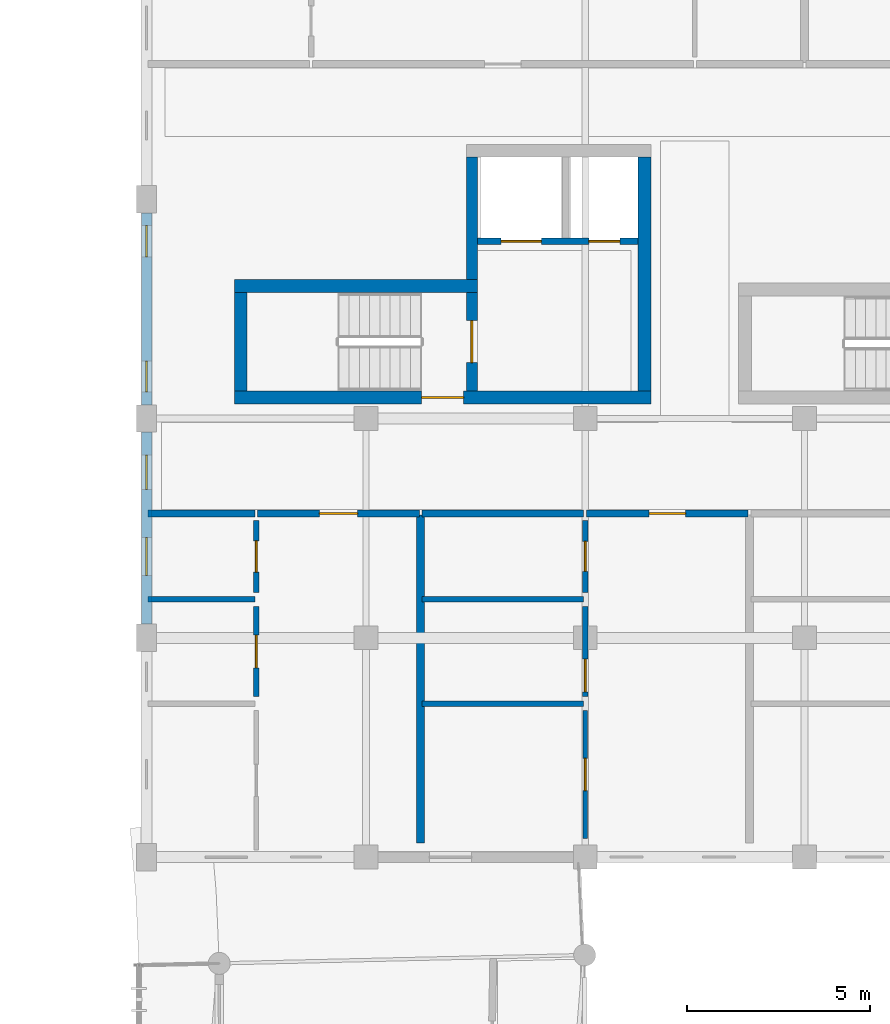
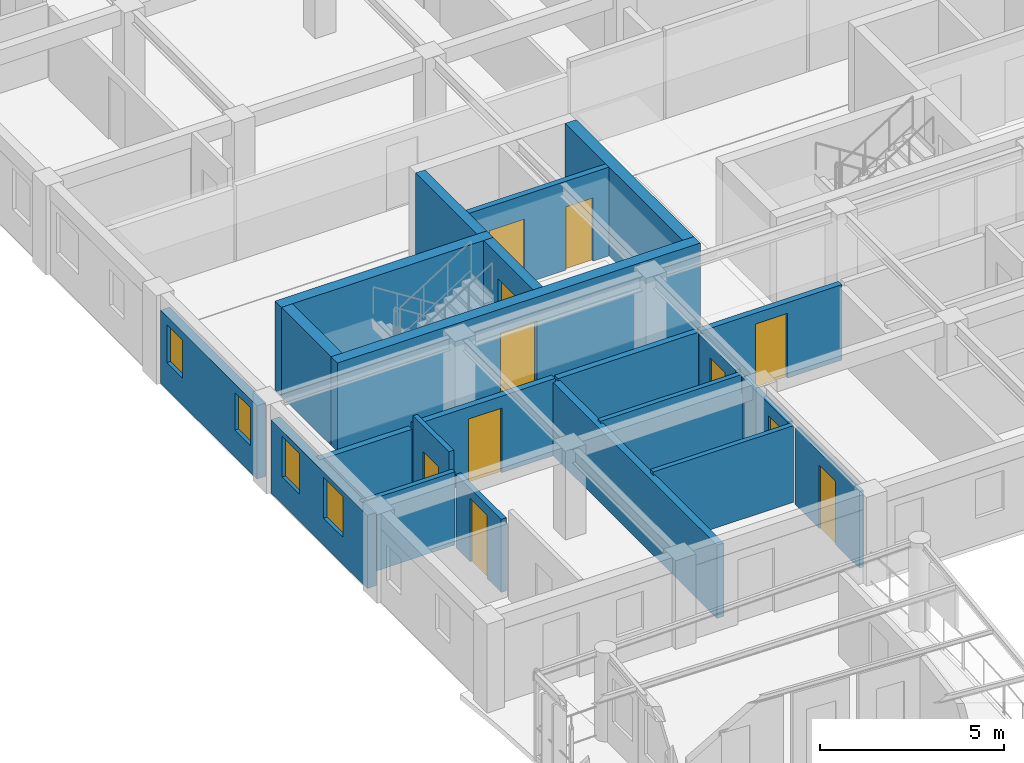
# One storey, part 68 of 100: 22 walls, 11 doors, 4 windows, 15 openings.
"""IFC4 building model written with IfcOpenShell, lengths in metres."""

from ifc_helpers import new_model, si_unit, direction, frame, frame_2d, origin, place, context, subcontext, project, spatial, rectangle, extrude, material, layer, layer_set, type_object, element, fill, save


model = new_model("IFC4")

# Units and contexts
model_context = context("Model", 3, precision=1e-05, world=origin(), true_north=direction((0.0, 1.0)))
body_context = subcontext(model_context, "Body", "Model", "MODEL_VIEW")
ifc_project = project(units=[si_unit("LENGTHUNIT", "METRE"), si_unit("AREAUNIT", "SQUARE_METRE"), si_unit("VOLUMEUNIT", "CUBIC_METRE"), si_unit("PLANEANGLEUNIT", "RADIAN"), si_unit("MASSUNIT", "GRAM", prefix="KILO"), si_unit("POWERUNIT", "WATT"), si_unit("THERMODYNAMICTEMPERATUREUNIT", "KELVIN")], contexts=[model_context])

# Site, building, storey
site_placement = place(None, origin())
site = spatial("IfcSite", under=ifc_project, at=site_placement, CompositionType="ELEMENT")
building_placement = place(site_placement, origin())
building = spatial("IfcBuilding", under=site, at=building_placement, Name="Ruvembo Vaulted Housing Court", CompositionType="ELEMENT")
storey_placement = place(building_placement, frame((0.0, 0.0, 14.10009765625)))
storey = spatial("IfcBuildingStorey", under=building, at=storey_placement, Name="L04", CompositionType="ELEMENT", Elevation=14.10009765625)

# Wall, opening, door
ifc_material_1 = material(Name="Concrete C35/45", Category="concrete")
ifc_layer_1 = layer(ifc_material_1, 0.300048828125, Name="Concrete C35/45")
ifc_layer_set_1 = layer_set([ifc_layer_1], Name="Concrete C35/45")
wall_type_1 = type_object("IfcWallType", Name="WL-CORE-300", PredefinedType="SHEAR", material=ifc_layer_set_1)
wall_1_placement = place(storey_placement, frame((56.89990234375, 90.75, 0.0), z_axis=(0.0, 0.0, 1.0), x_axis=(0.0, 1.0, 0.0)))
wall_1 = element("IfcWall", 1, at=wall_1_placement, inside=storey, type_object=wall_type_1, Name="Core B1 L04 Stair-Lobby Shear Wall", PredefinedType="SHEAR", context=body_context, shape_type="SweptSolid", body=[
    extrude(rectangle(XDim=2.699951171875, YDim=0.300048828125, at=frame_2d((1.35009765625, 0.0))), origin(), (0.0, 0.0, 1.0), 2.949951171875),
])
opening_1_placement = place(wall_1_placement, frame((0.77490234375, 0.0, 0.0)))
opening_1 = element("IfcOpeningElement", 2, at=opening_1_placement, cuts=wall_1, Name="Opening SD1", PredefinedType="OPENING", context=body_context, shape_type="SweptSolid", body=[
    extrude(rectangle(XDim=1.14990234375, YDim=2.14990234375, at=frame_2d((0.574951171875, 1.074951171875))), frame((0.0, 0.159912109375, 0.0), z_axis=(0.0, -1.0, 0.0), x_axis=(1.0, 0.0, 0.0)), (0.0, 0.0, 1.0), 0.320068359375),
])
ifc_material_2 = material(Name="Galvanised Painted Steel", Category="steel")
door_type_1 = type_object("IfcDoorType", Name="DR-STAIR-1150x2150", OperationType="NOTDEFINED", PredefinedType="DOOR", material=ifc_material_2)
door_1_placement = place(opening_1_placement, origin())
door_1 = element("IfcDoor", 3, at=door_1_placement, inside=storey, type_object=door_type_1, Name="Stair ST-B1 L04 Fire Door", OperationType="SINGLE_SWING_LEFT", OverallHeight=2.14990234375, OverallWidth=1.14990234375, PredefinedType="DOOR", context=body_context, shape_type="SweptSolid", body=[
    extrude(rectangle(XDim=1.14990234375, YDim=2.14990234375, at=frame_2d((0.574951171875, 1.074951171875))), frame((0.0, 0.02490234375, 0.0), z_axis=(0.0, -1.0, 0.0), x_axis=(1.0, 0.0, 0.0)), (0.0, 0.0, 1.0), 0.050048828125),
])
fill(opening_1, door_1)

# Wall
wall_2_placement = place(storey_placement, frame((56.89990234375, 93.800048828125, 0.0), z_axis=(0.0, 0.0, 1.0), x_axis=(0.0, 1.0, 0.0)))
element("IfcWall", 4, at=wall_2_placement, inside=storey, type_object=wall_type_1, Name="Core B1 L04 Upper West Shear Wall", PredefinedType="SHEAR", context=body_context, shape_type="SweptSolid", body=[
    extrude(rectangle(XDim=3.349853515625, YDim=0.300048828125, at=frame_2d((1.6748046875, 0.0))), origin(), (0.0, 0.0, 1.0), 2.949951171875),
])

# Wall, opening, door
ifc_layer_2 = layer(ifc_material_1, 0.35009765625, Name="Concrete C35/45")
ifc_layer_set_2 = layer_set([ifc_layer_2], Name="Concrete C35/45")
wall_type_2 = type_object("IfcWallType", Name="WL-CORE-350", PredefinedType="SHEAR", material=ifc_layer_set_2)
wall_3_placement = place(storey_placement, frame((50.39990234375, 90.574951171875, 0.0), z_axis=(0.0, 0.0, 1.0), x_axis=(1.0, 0.0, 0.0)))
wall_3 = element("IfcWall", 5, at=wall_3_placement, inside=storey, type_object=wall_type_2, Name="Core B1 L04 South Shear Wall", PredefinedType="SHEAR", context=body_context, shape_type="SweptSolid", body=[
    extrude(rectangle(XDim=11.400146484375, YDim=0.35009765625, at=frame_2d((5.7001953125, 0.0))), origin(), (0.0, 0.0, 1.0), 2.949951171875),
])
opening_2_placement = place(wall_3_placement, frame((5.125, 0.0, 0.0)))
opening_2 = element("IfcOpeningElement", 6, at=opening_2_placement, cuts=wall_3, Name="Opening LD0", PredefinedType="OPENING", context=body_context, shape_type="SweptSolid", body=[
    extrude(rectangle(XDim=1.14990234375, YDim=2.14990234375, at=frame_2d((0.574951171875, 1.074951171875))), frame((0.0, 0.18505859375, 0.0), z_axis=(0.0, -1.0, 0.0), x_axis=(1.0, 0.0, 0.0)), (0.0, 0.0, 1.0), 0.3701171875),
])
door_type_2 = type_object("IfcDoorType", Name="DR-LOB-1150x2150", OperationType="NOTDEFINED", PredefinedType="DOOR", material=ifc_material_2)
door_2_placement = place(opening_2_placement, origin())
door_2 = element("IfcDoor", 7, at=door_2_placement, inside=storey, type_object=door_type_2, Name="Core B1 L04 Lobby Fire Door", OperationType="SINGLE_SWING_RIGHT", OverallHeight=2.14990234375, OverallWidth=1.14990234375, PredefinedType="DOOR", context=body_context, shape_type="SweptSolid", body=[
    extrude(rectangle(XDim=1.14990234375, YDim=2.14990234375, at=frame_2d((0.574951171875, 1.074951171875))), frame((0.0, 0.02490234375, 0.0), z_axis=(0.0, -1.0, 0.0), x_axis=(1.0, 0.0, 0.0)), (0.0, 0.0, 1.0), 0.050048828125),
])
fill(opening_2, door_2)

# Walls
wall_4_placement = place(storey_placement, frame((57.050048828125, 93.625, 0.0), z_axis=(0.0, 0.0, 1.0), x_axis=(-1.0, 0.0, 0.0)))
element("IfcWall", 8, at=wall_4_placement, inside=storey, type_object=wall_type_2, Name="Core B1 L04 Stair North Shear Wall", PredefinedType="SHEAR", context=body_context, shape_type="SweptSolid", body=[
    extrude(rectangle(XDim=6.650146484375, YDim=0.35009765625, at=frame_2d((3.3251953125, 0.0))), origin(), (0.0, 0.0, 1.0), 2.949951171875),
])
wall_5_placement = place(storey_placement, frame((50.574951171875, 93.449951171875, 0.0), z_axis=(0.0, 0.0, 1.0), x_axis=(0.0, -1.0, 0.0)))
element("IfcWall", 9, at=wall_5_placement, inside=storey, type_object=wall_type_2, Name="Core B1 L04 Stair West Shear Wall", PredefinedType="SHEAR", context=body_context, shape_type="SweptSolid", body=[
    extrude(rectangle(XDim=2.699951171875, YDim=0.35009765625, at=frame_2d((1.35009765625, 0.0))), origin(), (0.0, 0.0, 1.0), 2.949951171875),
])
wall_6_placement = place(storey_placement, frame((61.625, 90.75, 0.0), z_axis=(0.0, 0.0, 1.0), x_axis=(0.0, 1.0, 0.0)))
element("IfcWall", 10, at=wall_6_placement, inside=storey, type_object=wall_type_2, Name="Core B1 L04 East Shear Wall", PredefinedType="SHEAR", context=body_context, shape_type="SweptSolid", body=[
    extrude(rectangle(XDim=6.39990234375, YDim=0.35009765625, at=frame_2d((3.199951171875, 0.0))), origin(), (0.0, 0.0, 1.0), 2.949951171875),
])
ifc_material_3 = material(Name="Concrete Blockwork 190", Category="masonry")
ifc_layer_3 = layer(ifc_material_3, 0.18994140625, Name="Concrete Blockwork 190")
ifc_layer_set_3 = layer_set([ifc_layer_3], Name="Concrete Blockwork 190")
wall_type_3 = type_object("IfcWallType", Name="WL-CORR-190", PredefinedType="SOLIDWALL", material=ifc_layer_set_3)
wall_7_placement = place(storey_placement, frame((48.0400390625, 87.39990234375, 0.0), z_axis=(0.0, 0.0, 1.0), x_axis=(1.0, 0.0, 0.0)))
element("IfcWall", 11, at=wall_7_placement, inside=storey, type_object=wall_type_3, Name="L04 Flat B-L04-S1 Corridor Wall WL-INT-L04-01138", PredefinedType="SOLIDWALL", context=body_context, shape_type="SweptSolid", body=[
    extrude(rectangle(XDim=2.919921875, YDim=0.18994140625, at=frame_2d((1.4599609375, 0.0))), origin(), (0.0, 0.0, 1.0), 2.431884765625),
])

# Wall, opening, door
wall_8_placement = place(storey_placement, frame((51.0400390625, 87.39990234375, 0.0), z_axis=(0.0, 0.0, 1.0), x_axis=(1.0, 0.0, 0.0)))
wall_8 = element("IfcWall", 12, at=wall_8_placement, inside=storey, type_object=wall_type_3, Name="L04 Flat B-L04-S1 Entrance WL-INT-L04-01139", PredefinedType="SOLIDWALL", context=body_context, shape_type="SweptSolid", body=[
    extrude(rectangle(XDim=4.419921875, YDim=0.18994140625, at=frame_2d((2.2099609375, 0.0))), origin(), (0.0, 0.0, 1.0), 2.5478515625),
])
opening_3_placement = place(wall_8_placement, frame((1.68505859375, 0.0, 0.0)))
opening_3 = element("IfcOpeningElement", 13, at=opening_3_placement, cuts=wall_8, Name="Opening FD3", PredefinedType="OPENING", context=body_context, shape_type="SweptSolid", body=[
    extrude(rectangle(XDim=1.050048828125, YDim=2.14990234375, at=frame_2d((0.52490234375, 1.074951171875))), frame((0.0, 0.10498046875, 0.0), z_axis=(0.0, -1.0, 0.0), x_axis=(1.0, 0.0, 0.0)), (0.0, 0.0, 1.0), 0.2099609375),
])
ifc_material_4 = material(Name="FSC Hardwood and Engineered Timber", Category="wood")
door_type_3 = type_object("IfcDoorType", Name="DR-FLAT-1050x2150", OperationType="NOTDEFINED", PredefinedType="DOOR", material=ifc_material_4)
door_3_placement = place(opening_3_placement, origin())
door_3 = element("IfcDoor", 14, at=door_3_placement, inside=storey, type_object=door_type_3, Name="L04 Flat B-L04-S1 Entrance Door DR-INT-L04-00638", OperationType="SINGLE_SWING_RIGHT", OverallHeight=2.14990234375, OverallWidth=1.050048828125, PredefinedType="DOOR", context=body_context, shape_type="SweptSolid", body=[
    extrude(rectangle(XDim=1.050048828125, YDim=2.14990234375, at=frame_2d((0.52490234375, 1.074951171875))), frame((0.0, 0.02490234375, 0.0), z_axis=(0.0, -1.0, 0.0), x_axis=(1.0, 0.0, 0.0)), (0.0, 0.0, 1.0), 0.050048828125),
])
fill(opening_3, door_3)

# Wall
wall_9_placement = place(storey_placement, frame((55.5400390625, 87.39990234375, 0.0), z_axis=(0.0, 0.0, 1.0), x_axis=(1.0, 0.0, 0.0)))
element("IfcWall", 15, at=wall_9_placement, inside=storey, type_object=wall_type_3, Name="L04 Flat B-L04-S2 Corridor Wall WL-INT-L04-01146", PredefinedType="SOLIDWALL", context=body_context, shape_type="SweptSolid", body=[
    extrude(rectangle(XDim=4.419921875, YDim=0.18994140625, at=frame_2d((2.2099609375, 0.0))), origin(), (0.0, 0.0, 1.0), 2.5078125),
])

# Wall, opening, door
wall_10_placement = place(storey_placement, frame((60.0400390625, 87.39990234375, 0.0), z_axis=(0.0, 0.0, 1.0), x_axis=(1.0, 0.0, 0.0)))
wall_10 = element("IfcWall", 16, at=wall_10_placement, inside=storey, type_object=wall_type_3, Name="L04 Flat B-L04-S2 Entrance WL-INT-L04-01147", PredefinedType="SOLIDWALL", context=body_context, shape_type="SweptSolid", body=[
    extrude(rectangle(XDim=4.419921875, YDim=0.18994140625, at=frame_2d((2.2099609375, 0.0))), origin(), (0.0, 0.0, 1.0), 2.5078125),
])
opening_4_placement = place(wall_10_placement, frame((1.7099609375, 0.0, 0.0)))
opening_4 = element("IfcOpeningElement", 17, at=opening_4_placement, cuts=wall_10, Name="Opening FD1", PredefinedType="OPENING", context=body_context, shape_type="SweptSolid", body=[
    extrude(rectangle(XDim=1.0, YDim=2.14990234375, at=frame_2d((0.5, 1.074951171875))), frame((0.0, 0.10498046875, 0.0), z_axis=(0.0, -1.0, 0.0), x_axis=(1.0, 0.0, 0.0)), (0.0, 0.0, 1.0), 0.2099609375),
])
door_type_4 = type_object("IfcDoorType", Name="DR-FLAT-1000x2150", OperationType="NOTDEFINED", PredefinedType="DOOR", material=ifc_material_4)
door_4_placement = place(opening_4_placement, origin())
door_4 = element("IfcDoor", 18, at=door_4_placement, inside=storey, type_object=door_type_4, Name="L04 Flat B-L04-S2 Entrance Door DR-INT-L04-00642", OperationType="SINGLE_SWING_RIGHT", OverallHeight=2.14990234375, OverallWidth=1.0, PredefinedType="DOOR", context=body_context, shape_type="SweptSolid", body=[
    extrude(rectangle(XDim=1.0, YDim=2.14990234375, at=frame_2d((0.5, 1.074951171875))), frame((0.0, 0.02490234375, 0.0), z_axis=(0.0, -1.0, 0.0), x_axis=(1.0, 0.0, 0.0)), (0.0, 0.0, 1.0), 0.050048828125),
])
fill(opening_4, door_4)

# Wall
ifc_material_5 = material(Name="Acoustic Masonry Demising 220", Category="masonry")
ifc_layer_4 = layer(ifc_material_5, 0.219970703125, Name="Acoustic Masonry Demising 220")
ifc_layer_set_4 = layer_set([ifc_layer_4], Name="Acoustic Masonry Demising 220")
wall_type_4 = type_object("IfcWallType", Name="WL-DEM-200", PredefinedType="SOLIDWALL", material=ifc_layer_set_4)
wall_11_placement = place(storey_placement, frame((55.5, 78.389892578125, 0.0), z_axis=(0.0, 0.0, 1.0), x_axis=(0.0, 1.0, 0.0)))
element("IfcWall", 19, at=wall_11_placement, inside=storey, type_object=wall_type_4, Name="L04 Demising B-L04-S1 WL-INT-L04-01137", PredefinedType="SOLIDWALL", context=body_context, shape_type="SweptSolid", body=[
    extrude(rectangle(XDim=8.97021484375, YDim=0.219970703125, at=frame_2d((4.485107421875, 0.0))), origin(), (0.0, 0.0, 1.0), 2.431884765625),
])

# Wall, openings, windows
ifc_material_6 = material(Name="Rendered Masonry 285", Category="masonry")
ifc_layer_5 = layer(ifc_material_6, 0.284912109375, Name="Rendered Masonry 285")
ifc_layer_set_5 = layer_set([ifc_layer_5], Name="Rendered Masonry 285")
wall_type_5 = type_object("IfcWallType", Name="WL-EXT-285", PredefinedType="STANDARD", material=ifc_layer_set_5)
wall_12_placement = place(storey_placement, frame((48.0, 95.625, 0.0), z_axis=(0.0, 0.0, 1.0), x_axis=(0.0, -1.0, 0.0)))
wall_12 = element("IfcWall", 20, at=wall_12_placement, inside=storey, type_object=wall_type_5, Name="Block B L04 Exterior Wall WEST #4", PredefinedType="STANDARD", context=body_context, shape_type="SweptSolid", body=[
    extrude(rectangle(XDim=5.25, YDim=0.284912109375, at=frame_2d((2.625, 0.0))), origin(), (0.0, 0.0, 1.0), 2.431884765625),
])
opening_5_placement = place(wall_12_placement, frame((0.35009765625, 0.0, 0.89990234375)))
opening_5 = element("IfcOpeningElement", 21, at=opening_5_placement, cuts=wall_12, Name="Opening W03", PredefinedType="OPENING", context=body_context, shape_type="SweptSolid", body=[
    extrude(rectangle(XDim=0.85009765625, YDim=1.25, at=frame_2d((0.425048828125, 0.625))), frame((0.0, 0.15234375, 0.0), z_axis=(0.0, -1.0, 0.0), x_axis=(1.0, 0.0, 0.0)), (0.0, 0.0, 1.0), 0.304931640625),
])
opening_6_placement = place(wall_12_placement, frame((4.050048828125, 0.0, 0.89990234375)))
opening_6 = element("IfcOpeningElement", 22, at=opening_6_placement, cuts=wall_12, Name="Opening W03", PredefinedType="OPENING", context=body_context, shape_type="SweptSolid", body=[
    extrude(rectangle(XDim=0.85009765625, YDim=1.25, at=frame_2d((0.425048828125, 0.625))), frame((0.0, 0.15234375, 0.0), z_axis=(0.0, -1.0, 0.0), x_axis=(1.0, 0.0, 0.0)), (0.0, 0.0, 1.0), 0.304931640625),
])
ifc_material_7 = material(Name="Double Solar-Control Glazing in Aluminium Frame", Category="aluminium")
window_type_1 = type_object("IfcWindowType", Name="WIN-0850x1250", PartitioningType="SINGLE_PANEL", PredefinedType="WINDOW", material=ifc_material_7)
window_1_placement = place(opening_5_placement, origin())
window_1 = element("IfcWindow", 23, at=window_1_placement, inside=storey, type_object=window_type_1, Name="Block B L04 Window #805", OverallHeight=1.25, OverallWidth=0.85009765625, PartitioningType="SINGLE_PANEL", PredefinedType="WINDOW", context=body_context, shape_type="SweptSolid", body=[
    extrude(rectangle(XDim=0.85009765625, YDim=1.25, at=frame_2d((0.425048828125, 0.625))), frame((0.0, 0.030029296875, 0.0), z_axis=(0.0, -1.0, 0.0), x_axis=(1.0, 0.0, 0.0)), (0.0, 0.0, 1.0), 0.06005859375),
])
fill(opening_5, window_1)
window_2_placement = place(opening_6_placement, origin())
window_2 = element("IfcWindow", 24, at=window_2_placement, inside=storey, type_object=window_type_1, Name="Block B L04 Window #806", OverallHeight=1.25, OverallWidth=0.85009765625, PartitioningType="SINGLE_PANEL", PredefinedType="WINDOW", context=body_context, shape_type="SweptSolid", body=[
    extrude(rectangle(XDim=0.85009765625, YDim=1.25, at=frame_2d((0.425048828125, 0.625))), frame((0.0, 0.030029296875, 0.0), z_axis=(0.0, -1.0, 0.0), x_axis=(1.0, 0.0, 0.0)), (0.0, 0.0, 1.0), 0.06005859375),
])
fill(opening_6, window_2)

wall_13_placement = place(storey_placement, frame((48.0, 89.625, 0.0), z_axis=(0.0, 0.0, 1.0), x_axis=(0.0, -1.0, 0.0)))
wall_13 = element("IfcWall", 25, at=wall_13_placement, inside=storey, type_object=wall_type_5, Name="Block B L04 Exterior Wall WEST #5", PredefinedType="STANDARD", context=body_context, shape_type="SweptSolid", body=[
    extrude(rectangle(XDim=5.25, YDim=0.284912109375, at=frame_2d((2.625, 0.0))), origin(), (0.0, 0.0, 1.0), 2.431884765625),
])
opening_7_placement = place(wall_13_placement, frame((0.617431640625, 0.0, 0.89990234375)))
opening_7 = element("IfcOpeningElement", 26, at=opening_7_placement, cuts=wall_13, Name="Opening W07", PredefinedType="OPENING", context=body_context, shape_type="SweptSolid", body=[
    extrude(rectangle(XDim=0.949951171875, YDim=1.35009765625, at=frame_2d((0.47509765625, 0.675048828125))), frame((0.0, 0.15234375, 0.0), z_axis=(0.0, -1.0, 0.0), x_axis=(1.0, 0.0, 0.0)), (0.0, 0.0, 1.0), 0.304931640625),
])
opening_8_placement = place(wall_13_placement, frame((2.875, 0.0, 0.89990234375)))
opening_8 = element("IfcOpeningElement", 27, at=opening_8_placement, cuts=wall_13, Name="Opening W09", PredefinedType="OPENING", context=body_context, shape_type="SweptSolid", body=[
    extrude(rectangle(XDim=1.050048828125, YDim=1.35009765625, at=frame_2d((0.52490234375, 0.675048828125))), frame((0.0, 0.15234375, 0.0), z_axis=(0.0, -1.0, 0.0), x_axis=(1.0, 0.0, 0.0)), (0.0, 0.0, 1.0), 0.304931640625),
])
window_type_2 = type_object("IfcWindowType", Name="WIN-0950x1350", PartitioningType="SINGLE_PANEL", PredefinedType="WINDOW", material=ifc_material_7)
window_3_placement = place(opening_7_placement, origin())
window_3 = element("IfcWindow", 28, at=window_3_placement, inside=storey, type_object=window_type_2, Name="Block B L04 Window #807", OverallHeight=1.35009765625, OverallWidth=0.949951171875, PartitioningType="SINGLE_PANEL", PredefinedType="WINDOW", context=body_context, shape_type="SweptSolid", body=[
    extrude(rectangle(XDim=0.949951171875, YDim=1.35009765625, at=frame_2d((0.47509765625, 0.675048828125))), frame((0.0, 0.030029296875, 0.0), z_axis=(0.0, -1.0, 0.0), x_axis=(1.0, 0.0, 0.0)), (0.0, 0.0, 1.0), 0.06005859375),
])
fill(opening_7, window_3)
window_type_3 = type_object("IfcWindowType", Name="WIN-1050x1350", PartitioningType="SINGLE_PANEL", PredefinedType="WINDOW", material=ifc_material_7)
window_4_placement = place(opening_8_placement, origin())
window_4 = element("IfcWindow", 29, at=window_4_placement, inside=storey, type_object=window_type_3, Name="Block B L04 Window #808", OverallHeight=1.35009765625, OverallWidth=1.050048828125, PartitioningType="SINGLE_PANEL", PredefinedType="WINDOW", context=body_context, shape_type="SweptSolid", body=[
    extrude(rectangle(XDim=1.050048828125, YDim=1.35009765625, at=frame_2d((0.52490234375, 0.675048828125))), frame((0.0, 0.030029296875, 0.0), z_axis=(0.0, -1.0, 0.0), x_axis=(1.0, 0.0, 0.0)), (0.0, 0.0, 1.0), 0.06005859375),
])
fill(opening_8, window_4)

# Wall, opening, door
ifc_material_8 = material(Name="Plasterboard Stud Partition 125", Category="gypsum")
ifc_layer_6 = layer(ifc_material_8, 0.125, Name="Plasterboard Stud Partition 125")
ifc_layer_set_6 = layer_set([ifc_layer_6], Name="Plasterboard Stud Partition 125")
wall_type_6 = type_object("IfcWallType", Name="WL-PART-125", PredefinedType="PARTITIONING", material=ifc_layer_set_6)
wall_14_placement = place(storey_placement, frame((60.0, 78.510009765625, 0.0), z_axis=(0.0, 0.0, 1.0), x_axis=(0.0, 1.0, 0.0)))
wall_14 = element("IfcWall", 30, at=wall_14_placement, inside=storey, type_object=wall_type_6, Name="L04 Flat B-L04-S2 Bedroom 1 WL-INT-L04-01148", PredefinedType="PARTITIONING", context=body_context, shape_type="SweptSolid", body=[
    extrude(rectangle(XDim=3.5, YDim=0.125, at=frame_2d((1.75, 0.0))), origin(), (0.0, 0.0, 1.0), 2.5478515625),
])
opening_9_placement = place(wall_14_placement, frame((1.31005859375, 0.0, 0.0)))
opening_9 = element("IfcOpeningElement", 31, at=opening_9_placement, cuts=wall_14, Name="Opening ID3", PredefinedType="OPENING", context=body_context, shape_type="SweptSolid", body=[
    extrude(rectangle(XDim=0.8798828125, YDim=2.10009765625, at=frame_2d((0.43994140625, 1.050048828125))), frame((0.0, 0.072509765625, 0.0), z_axis=(0.0, -1.0, 0.0), x_axis=(1.0, 0.0, 0.0)), (0.0, 0.0, 1.0), 0.14501953125),
])
door_type_5 = type_object("IfcDoorType", Name="DR-ROOM-0880x2100", OperationType="NOTDEFINED", PredefinedType="DOOR", material=ifc_material_4)
door_5_placement = place(opening_9_placement, origin())
door_5 = element("IfcDoor", 32, at=door_5_placement, inside=storey, type_object=door_type_5, Name="L04 Flat B-L04-S2 Bedroom 1 Door DR-INT-L04-00643", OperationType="SINGLE_SWING_LEFT", OverallHeight=2.10009765625, OverallWidth=0.8798828125, PredefinedType="DOOR", context=body_context, shape_type="SweptSolid", body=[
    extrude(rectangle(XDim=0.8798828125, YDim=2.10009765625, at=frame_2d((0.43994140625, 1.050048828125))), frame((0.0, 0.02490234375, 0.0), z_axis=(0.0, -1.0, 0.0), x_axis=(1.0, 0.0, 0.0)), (0.0, 0.0, 1.0), 0.050048828125),
])
fill(opening_9, door_5)

ifc_material_9 = material(Name="Moisture-Resistant Wet Partition 150", Category="gypsum")
ifc_layer_7 = layer(ifc_material_9, 0.14990234375, Name="Moisture-Resistant Wet Partition 150")
ifc_layer_set_7 = layer_set([ifc_layer_7], Name="Moisture-Resistant Wet Partition 150")
wall_type_7 = type_object("IfcWallType", Name="WL-PART-150", PredefinedType="PARTITIONING", material=ifc_layer_set_7)
wall_15_placement = place(storey_placement, frame((51.0, 85.239990234375, 0.0), z_axis=(0.0, 0.0, 1.0), x_axis=(0.0, 1.0, 0.0)))
wall_15 = element("IfcWall", 33, at=wall_15_placement, inside=storey, type_object=wall_type_7, Name="L04 Flat B-L04-S1 Bathroom WL-INT-L04-01142", PredefinedType="PARTITIONING", context=body_context, shape_type="SweptSolid", body=[
    extrude(rectangle(XDim=1.969970703125, YDim=0.14990234375, at=frame_2d((0.98486328125, 0.0))), origin(), (0.0, 0.0, 1.0), 2.949951171875),
])
opening_10_placement = place(wall_15_placement, frame((0.56005859375, 0.0, 0.0)))
opening_10 = element("IfcOpeningElement", 34, at=opening_10_placement, cuts=wall_15, Name="Opening ID2", PredefinedType="OPENING", context=body_context, shape_type="SweptSolid", body=[
    extrude(rectangle(XDim=0.85009765625, YDim=2.10009765625, at=frame_2d((0.425048828125, 1.050048828125))), frame((0.0, 0.0849609375, 0.0), z_axis=(0.0, -1.0, 0.0), x_axis=(1.0, 0.0, 0.0)), (0.0, 0.0, 1.0), 0.169921875),
])
door_type_6 = type_object("IfcDoorType", Name="DR-WET-0850x2100", OperationType="NOTDEFINED", PredefinedType="DOOR", material=ifc_material_4)
door_6_placement = place(opening_10_placement, origin())
door_6 = element("IfcDoor", 35, at=door_6_placement, inside=storey, type_object=door_type_6, Name="L04 Flat B-L04-S1 Bathroom Door DR-INT-L04-00641", OperationType="SINGLE_SWING_LEFT", OverallHeight=2.10009765625, OverallWidth=0.85009765625, PredefinedType="DOOR", context=body_context, shape_type="SweptSolid", body=[
    extrude(rectangle(XDim=0.85009765625, YDim=2.10009765625, at=frame_2d((0.425048828125, 1.050048828125))), frame((0.0, 0.02490234375, 0.0), z_axis=(0.0, -1.0, 0.0), x_axis=(1.0, 0.0, 0.0)), (0.0, 0.0, 1.0), 0.050048828125),
])
fill(opening_10, door_6)

# Wall
wall_16_placement = place(storey_placement, frame((48.0400390625, 85.050048828125, 0.0), z_axis=(0.0, 0.0, 1.0), x_axis=(1.0, 0.0, 0.0)))
element("IfcWall", 36, at=wall_16_placement, inside=storey, type_object=wall_type_7, Name="L04 Flat B-L04-S1 Wet Wall 2 WL-INT-L04-01144", PredefinedType="PARTITIONING", context=body_context, shape_type="SweptSolid", body=[
    extrude(rectangle(XDim=2.919921875, YDim=0.14990234375, at=frame_2d((1.4599609375, 0.0))), origin(), (0.0, 0.0, 1.0), 2.431884765625),
])

# Wall, opening, door
wall_17_placement = place(storey_placement, frame((60.0, 85.239990234375, 0.0), z_axis=(0.0, 0.0, 1.0), x_axis=(0.0, 1.0, 0.0)))
wall_17 = element("IfcWall", 37, at=wall_17_placement, inside=storey, type_object=wall_type_7, Name="L04 Flat B-L04-S2 Bathroom WL-INT-L04-01150", PredefinedType="PARTITIONING", context=body_context, shape_type="SweptSolid", body=[
    extrude(rectangle(XDim=1.969970703125, YDim=0.14990234375, at=frame_2d((0.98486328125, 0.0))), origin(), (0.0, 0.0, 1.0), 2.5078125),
])
opening_11_placement = place(wall_17_placement, frame((0.574951171875, 0.0, 0.0)))
opening_11 = element("IfcOpeningElement", 38, at=opening_11_placement, cuts=wall_17, Name="Opening ID4", PredefinedType="OPENING", context=body_context, shape_type="SweptSolid", body=[
    extrude(rectangle(XDim=0.820068359375, YDim=2.080078125, at=frame_2d((0.41015625, 1.0400390625))), frame((0.0, 0.0849609375, 0.0), z_axis=(0.0, -1.0, 0.0), x_axis=(1.0, 0.0, 0.0)), (0.0, 0.0, 1.0), 0.169921875),
])
door_type_7 = type_object("IfcDoorType", Name="DR-WET-0820x2080", OperationType="NOTDEFINED", PredefinedType="DOOR", material=ifc_material_4)
door_7_placement = place(opening_11_placement, origin())
door_7 = element("IfcDoor", 39, at=door_7_placement, inside=storey, type_object=door_type_7, Name="L04 Flat B-L04-S2 Bathroom Door DR-INT-L04-00645", OperationType="SINGLE_SWING_LEFT", OverallHeight=2.080078125, OverallWidth=0.820068359375, PredefinedType="DOOR", context=body_context, shape_type="SweptSolid", body=[
    extrude(rectangle(XDim=0.820068359375, YDim=2.080078125, at=frame_2d((0.41015625, 1.0400390625))), frame((0.0, 0.02490234375, 0.0), z_axis=(0.0, -1.0, 0.0), x_axis=(1.0, 0.0, 0.0)), (0.0, 0.0, 1.0), 0.050048828125),
])
fill(opening_11, door_7)

# Walls
wall_18_placement = place(storey_placement, frame((55.5400390625, 82.199951171875, 0.0), z_axis=(0.0, 0.0, 1.0), x_axis=(1.0, 0.0, 0.0)))
element("IfcWall", 40, at=wall_18_placement, inside=storey, type_object=wall_type_7, Name="L04 Flat B-L04-S2 Wet Wall 1 WL-INT-L04-01151", PredefinedType="PARTITIONING", context=body_context, shape_type="SweptSolid", body=[
    extrude(rectangle(XDim=4.419921875, YDim=0.14990234375, at=frame_2d((2.2099609375, 0.0))), origin(), (0.0, 0.0, 1.0), 2.5478515625),
])
wall_19_placement = place(storey_placement, frame((55.5400390625, 85.050048828125, 0.0), z_axis=(0.0, 0.0, 1.0), x_axis=(1.0, 0.0, 0.0)))
element("IfcWall", 41, at=wall_19_placement, inside=storey, type_object=wall_type_7, Name="L04 Flat B-L04-S2 Wet Wall 2 WL-INT-L04-01152", PredefinedType="PARTITIONING", context=body_context, shape_type="SweptSolid", body=[
    extrude(rectangle(XDim=4.419921875, YDim=0.14990234375, at=frame_2d((2.2099609375, 0.0))), origin(), (0.0, 0.0, 1.0), 2.5078125),
])

# Wall, opening, door
ifc_material_10 = material(Name="Acoustic Service Chase Wall 160", Category="gypsum")
ifc_layer_8 = layer(ifc_material_10, 0.159912109375, Name="Acoustic Service Chase Wall 160")
ifc_layer_set_8 = layer_set([ifc_layer_8], Name="Acoustic Service Chase Wall 160")
wall_type_8 = type_object("IfcWallType", Name="WL-PLUMB-160", PredefinedType="PLUMBINGWALL", material=ifc_layer_set_8)
wall_20_placement = place(storey_placement, frame((51.0, 82.389892578125, 0.0), z_axis=(0.0, 0.0, 1.0), x_axis=(0.0, 1.0, 0.0)))
wall_20 = element("IfcWall", 42, at=wall_20_placement, inside=storey, type_object=wall_type_8, Name="L04 Flat B-L04-S1 Kitchen WL-INT-L04-01141", PredefinedType="PLUMBINGWALL", context=body_context, shape_type="SweptSolid", body=[
    extrude(rectangle(XDim=2.47021484375, YDim=0.159912109375, at=frame_2d((1.235107421875, 0.0))), origin(), (0.0, 0.0, 1.0), 2.431884765625),
])
opening_12_placement = place(wall_20_placement, frame((0.784912109375, 0.0, 0.0)))
opening_12 = element("IfcOpeningElement", 43, at=opening_12_placement, cuts=wall_20, Name="Opening ID1", PredefinedType="OPENING", context=body_context, shape_type="SweptSolid", body=[
    extrude(rectangle(XDim=0.89990234375, YDim=2.10009765625, at=frame_2d((0.449951171875, 1.050048828125))), frame((0.0, 0.08984375, 0.0), z_axis=(0.0, -1.0, 0.0), x_axis=(1.0, 0.0, 0.0)), (0.0, 0.0, 1.0), 0.179931640625),
])
door_type_8 = type_object("IfcDoorType", Name="DR-ROOM-0900x2100", OperationType="NOTDEFINED", PredefinedType="DOOR", material=ifc_material_4)
door_8_placement = place(opening_12_placement, origin())
door_8 = element("IfcDoor", 44, at=door_8_placement, inside=storey, type_object=door_type_8, Name="L04 Flat B-L04-S1 Kitchen Door DR-INT-L04-00640", OperationType="SINGLE_SWING_RIGHT", OverallHeight=2.10009765625, OverallWidth=0.89990234375, PredefinedType="DOOR", context=body_context, shape_type="SweptSolid", body=[
    extrude(rectangle(XDim=0.89990234375, YDim=2.10009765625, at=frame_2d((0.449951171875, 1.050048828125))), frame((0.0, 0.02490234375, 0.0), z_axis=(0.0, -1.0, 0.0), x_axis=(1.0, 0.0, 0.0)), (0.0, 0.0, 1.0), 0.050048828125),
])
fill(opening_12, door_8)

wall_21_placement = place(storey_placement, frame((60.0, 82.389892578125, 0.0), z_axis=(0.0, 0.0, 1.0), x_axis=(0.0, 1.0, 0.0)))
wall_21 = element("IfcWall", 45, at=wall_21_placement, inside=storey, type_object=wall_type_8, Name="L04 Flat B-L04-S2 Kitchen WL-INT-L04-01149", PredefinedType="PLUMBINGWALL", context=body_context, shape_type="SweptSolid", body=[
    extrude(rectangle(XDim=2.47021484375, YDim=0.159912109375, at=frame_2d((1.235107421875, 0.0))), origin(), (0.0, 0.0, 1.0), 2.5078125),
])
opening_13_placement = place(wall_21_placement, frame((0.1298828125, 0.0, 0.0)))
opening_13 = element("IfcOpeningElement", 46, at=opening_13_placement, cuts=wall_21, Name="Opening ID1", PredefinedType="OPENING", context=body_context, shape_type="SweptSolid", body=[
    extrude(rectangle(XDim=0.89990234375, YDim=2.10009765625, at=frame_2d((0.449951171875, 1.050048828125))), frame((0.0, 0.08984375, 0.0), z_axis=(0.0, -1.0, 0.0), x_axis=(1.0, 0.0, 0.0)), (0.0, 0.0, 1.0), 0.179931640625),
])
door_9_placement = place(opening_13_placement, origin())
door_9 = element("IfcDoor", 47, at=door_9_placement, inside=storey, type_object=door_type_8, Name="L04 Flat B-L04-S2 Kitchen Door DR-INT-L04-00644", OperationType="SINGLE_SWING_RIGHT", OverallHeight=2.10009765625, OverallWidth=0.89990234375, PredefinedType="DOOR", context=body_context, shape_type="SweptSolid", body=[
    extrude(rectangle(XDim=0.89990234375, YDim=2.10009765625, at=frame_2d((0.449951171875, 1.050048828125))), frame((0.0, 0.02490234375, 0.0), z_axis=(0.0, -1.0, 0.0), x_axis=(1.0, 0.0, 0.0)), (0.0, 0.0, 1.0), 0.050048828125),
])
fill(opening_13, door_9)

# Wall, openings, doors
ifc_material_11 = material(Name="Fire-Rated Masonry Shaft 180", Category="masonry")
ifc_layer_9 = layer(ifc_material_11, 0.179931640625, Name="Fire-Rated Masonry Shaft 180")
ifc_layer_set_9 = layer_set([ifc_layer_9], Name="Fire-Rated Masonry Shaft 180")
wall_type_9 = type_object("IfcWallType", Name="WL-SHAFT-180", PredefinedType="SOLIDWALL", material=ifc_layer_set_9)
wall_22_placement = place(storey_placement, frame((57.050048828125, 94.85009765625, 0.0), z_axis=(0.0, 0.0, 1.0), x_axis=(1.0, 0.0, 0.0)))
wall_22 = element("IfcWall", 48, at=wall_22_placement, inside=storey, type_object=wall_type_9, Name="Core B1 L04 Lift and Riser Front Wall", PredefinedType="SOLIDWALL", context=body_context, shape_type="SweptSolid", body=[
    extrude(rectangle(XDim=4.39990234375, YDim=0.179931640625, at=frame_2d((2.199951171875, 0.0))), origin(), (0.0, 0.0, 1.0), 2.949951171875),
])
opening_14_placement = place(wall_22_placement, frame((0.64990234375, 0.0, 0.0)))
opening_14 = element("IfcOpeningElement", 49, at=opening_14_placement, cuts=wall_22, Name="Opening LD-LP-B1-L04", PredefinedType="OPENING", context=body_context, shape_type="SweptSolid", body=[
    extrude(rectangle(XDim=1.10009765625, YDim=2.14990234375, at=frame_2d((0.550048828125, 1.074951171875))), frame((0.0, 0.099853515625, 0.0), z_axis=(0.0, -1.0, 0.0), x_axis=(1.0, 0.0, 0.0)), (0.0, 0.0, 1.0), 0.199951171875),
])
opening_15_placement = place(wall_22_placement, frame((3.050048828125, 0.0, 0.0)))
opening_15 = element("IfcOpeningElement", 50, at=opening_15_placement, cuts=wall_22, Name="Opening RD1", PredefinedType="OPENING", context=body_context, shape_type="SweptSolid", body=[
    extrude(rectangle(XDim=0.85009765625, YDim=2.10009765625, at=frame_2d((0.425048828125, 1.050048828125))), frame((0.0, 0.099853515625, 0.0), z_axis=(0.0, -1.0, 0.0), x_axis=(1.0, 0.0, 0.0)), (0.0, 0.0, 1.0), 0.199951171875),
])
ifc_material_12 = material(Name="Brushed Stainless Steel 304", Category="steel")
door_type_9 = type_object("IfcDoorType", Name="DR-LIFT-1100x2150", OperationType="NOTDEFINED", PredefinedType="DOOR", material=ifc_material_12)
door_10_placement = place(opening_14_placement, origin())
door_10 = element("IfcDoor", 51, at=door_10_placement, inside=storey, type_object=door_type_9, Name="Lift LP-B1 L04 Sliding Landing Door", OperationType="SLIDING_TO_LEFT", OverallHeight=2.14990234375, OverallWidth=1.10009765625, PredefinedType="DOOR", context=body_context, shape_type="SweptSolid", body=[
    extrude(rectangle(XDim=1.10009765625, YDim=2.14990234375, at=frame_2d((0.550048828125, 1.074951171875))), frame((0.0, 0.02490234375, 0.0), z_axis=(0.0, -1.0, 0.0), x_axis=(1.0, 0.0, 0.0)), (0.0, 0.0, 1.0), 0.050048828125),
])
fill(opening_14, door_10)
door_type_10 = type_object("IfcDoorType", Name="DR-RISER-0850x2100", OperationType="NOTDEFINED", PredefinedType="DOOR", material=ifc_material_2)
door_11_placement = place(opening_15_placement, frame((0.85009765625, 0.0, 0.0), z_axis=(0.0, 0.0, 1.0), x_axis=(-1.0, 0.0, 0.0)))
door_11 = element("IfcDoor", 52, at=door_11_placement, inside=storey, type_object=door_type_10, Name="Core B1 L04 Service Riser Door", OperationType="SINGLE_SWING_RIGHT", OverallHeight=2.10009765625, OverallWidth=0.85009765625, PredefinedType="DOOR", context=body_context, shape_type="SweptSolid", body=[
    extrude(rectangle(XDim=0.85009765625, YDim=2.10009765625, at=frame_2d((0.425048828125, 1.050048828125))), frame((0.0, 0.02490234375, 0.0), z_axis=(0.0, -1.0, 0.0), x_axis=(1.0, 0.0, 0.0)), (0.0, 0.0, 1.0), 0.050048828125),
])
fill(opening_15, door_11)

save(model, "model.ifc")
